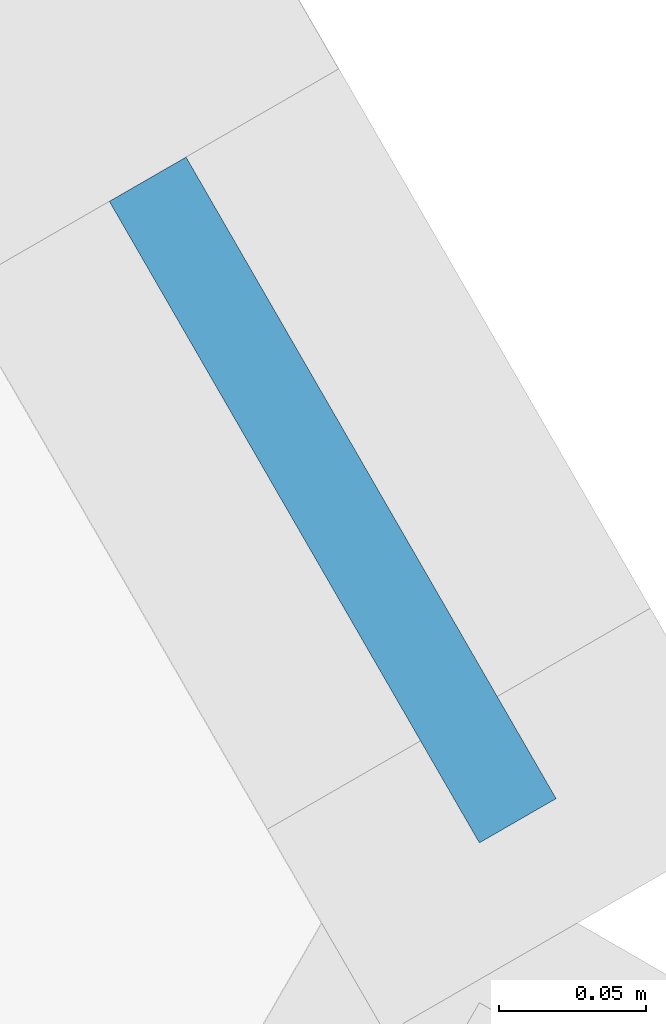
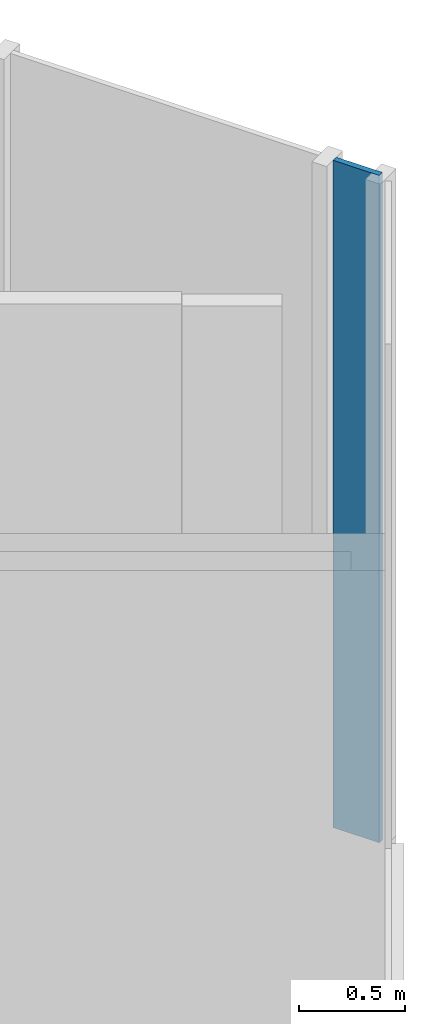
# One storey, part 19 of 26: 1 plate, 1 element without a shape of its own.
"""IFC4 building model written with IfcOpenShell, lengths in metres."""

from ifc_helpers import new_model, si_unit, direction, frame, origin, place, context, subcontext, project, spatial, polyline, outline, extrude, material, layer, layer_set, type_object, element, aggregate, save


model = new_model("IFC4")

# Units and contexts
model_context = context("Model", 3, precision=1e-05, world=origin(), true_north=direction((0.0, 1.0)))
body_context = subcontext(model_context, "Body", "Model", "MODEL_VIEW")
ifc_project = project(units=[si_unit("LENGTHUNIT", "METRE"), si_unit("AREAUNIT", "SQUARE_METRE"), si_unit("VOLUMEUNIT", "CUBIC_METRE"), si_unit("PLANEANGLEUNIT", "RADIAN"), si_unit("MASSUNIT", "GRAM", prefix="KILO")], contexts=[model_context])

# Site, building, storey
site_placement = place(None, origin())
site = spatial("IfcSite", under=ifc_project, at=site_placement, CompositionType="ELEMENT")
building_placement = place(site_placement, origin())
building = spatial("IfcBuilding", under=site, at=building_placement, Name="Firuza Gate Tower and Library", CompositionType="ELEMENT")
storey_placement = place(building_placement, frame((0.0, 0.0, 65.199951171875)))
storey = spatial("IfcBuildingStorey", under=building, at=storey_placement, Name="L14", CompositionType="ELEMENT", Elevation=65.199951171875)

# Curtain wall, plate
ifc_material_1 = material(Name="Aluminium 6063-T6", Category="aluminium")
ifc_layer_1 = layer(ifc_material_1, 0.14990234375)
ifc_layer_set_1 = layer_set([ifc_layer_1], Name="Unitised curtain wall, offices")
curtain_wall_type = type_object("IfcCurtainWallType", Name="Unitised curtain wall, offices", PredefinedType="NOTDEFINED", material=ifc_layer_set_1)
curtain_wall_placement = place(storey_placement, origin())
curtain_wall = element("IfcCurtainWall", 1, at=curtain_wall_placement, inside=storey, type_object=curtain_wall_type, Name="CW1 L14 E face", PredefinedType="NOTDEFINED")
ifc_material_2 = material(Name="Glazed ceramic tile")
ifc_layer_2 = layer(ifc_material_2, 0.030029296875)
ifc_layer_set_2 = layer_set([ifc_layer_2], Name="Opaque ceramic panel, offices")
plate_type = type_object("IfcPlateType", Name="Opaque ceramic panel, offices", PredefinedType="CURTAIN_PANEL", material=ifc_layer_set_2)
plate_placement = place(storey_placement, frame((107.282958984375, 60.6064453125, 0.150146484375), z_axis=(0.866201770413, 0.499694399542, 0.0), x_axis=(-0.499694399542, 0.866201770413, 0.0)))
plate = element("IfcPlate", 2, at=plate_placement, type_object=plate_type, Name="Opaque ceramic panel", PredefinedType="CURTAIN_PANEL", context=body_context, shape_type="SweptSolid", body=[
    extrude(outline(polyline([(0.0, 0.0), (0.25113005341856437, 0.0), (0.25113005341856437, 3.849853515625), (0.0, 3.849853515625), (0.0, 0.0)])), origin(), (0.0, 0.0, -1.0), 0.030029296875),
])
aggregate(curtain_wall, [plate])

save(model, "model.ifc")
